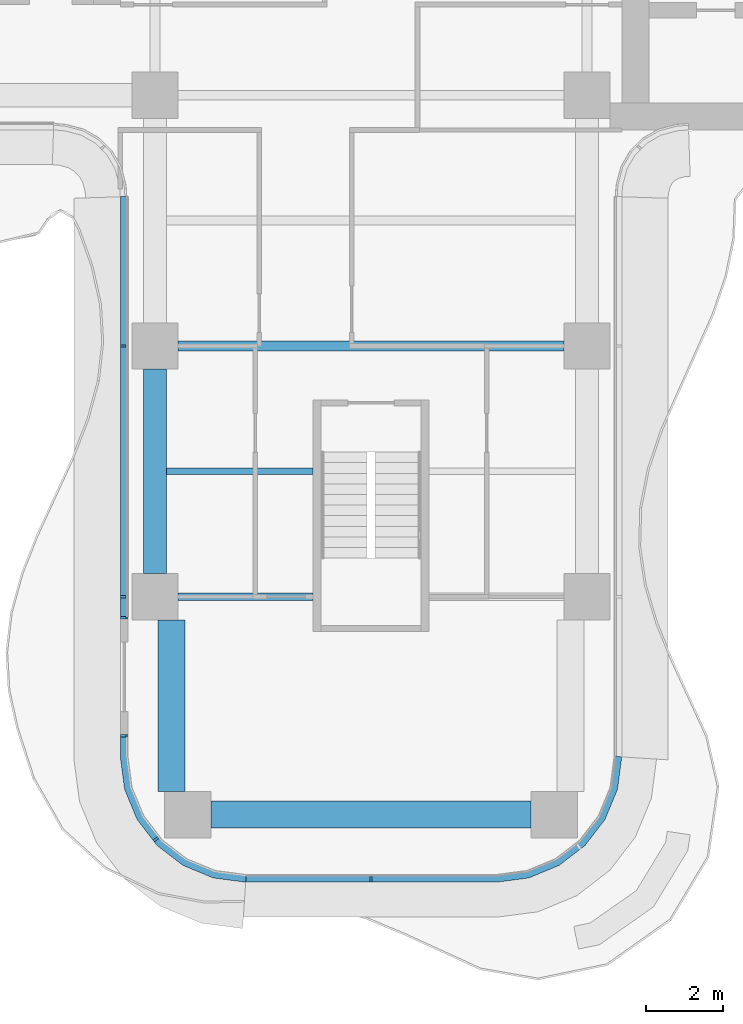
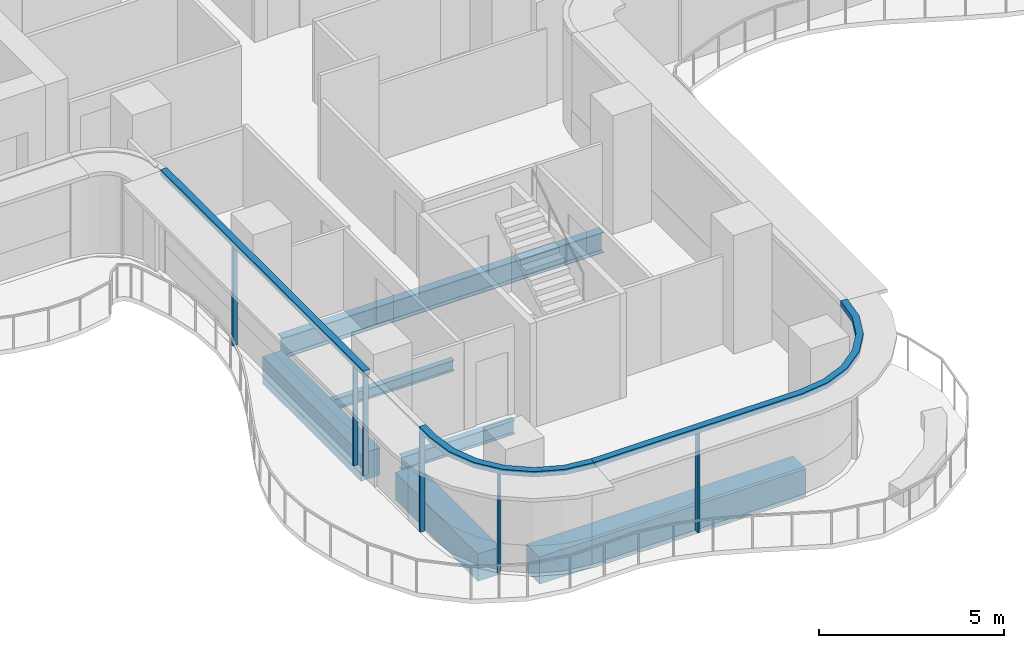
# One storey, part 2 of 17: 9 members, 6 beams, 3 elements without a shape of their own.
"""IFC4 building model written with IfcOpenShell, lengths in metres."""

from ifc_helpers import new_model, si_unit, direction, frame, origin, origin_2d, place, context, subcontext, project, spatial, polyline, rectangle, i_section, outline, extrude, source, transform, mapped, material, layer, layer_set, material_profile, profile_set, type_object, element, aggregate, save


model = new_model("IFC4")

# Units and contexts
model_context = context("Model", 3, precision=1e-05, world=origin(), true_north=direction((0.0, 1.0)))
body_context = subcontext(model_context, "Body", "Model", "MODEL_VIEW")
ifc_project = project(units=[si_unit("LENGTHUNIT", "METRE"), si_unit("AREAUNIT", "SQUARE_METRE"), si_unit("VOLUMEUNIT", "CUBIC_METRE"), si_unit("PLANEANGLEUNIT", "RADIAN"), si_unit("MASSUNIT", "GRAM", prefix="KILO")], contexts=[model_context])

# Site, building, storey
site_placement = place(None, origin())
site = spatial("IfcSite", under=ifc_project, at=site_placement, CompositionType="ELEMENT")
building_placement = place(site_placement, origin())
building = spatial("IfcBuilding", under=site, at=building_placement, Name="Trellis Farm Tower", CompositionType="ELEMENT")
storey_placement = place(building_placement, frame((0.0, 0.0, 208.800048828125)))
storey = spatial("IfcBuildingStorey", under=building, at=storey_placement, Name="L46", CompositionType="ELEMENT", Elevation=208.800048828125)

# Beams
ifc_material_1 = material(Name="Steel S355", Category="steel")
ifc_material_profile_1 = material_profile(ifc_material_1, i_section(OverallWidth=0.1904296875, OverallDepth=0.45703125, WebThickness=0.009033203125, FlangeThickness=0.014404296875, FilletRadius=0.01025390625, at=origin_2d()), Name="UB 457x191x74")
ifc_profile_set_1 = profile_set([ifc_material_profile_1], Name="Steel S355")
beam_type_1 = type_object("IfcBeamType", Name="UB 457x191x74", PredefinedType="BEAM", material=ifc_profile_set_1)
shared_shape_1 = source(origin(), body_context, "Body", "SweptSolid", [
    extrude(i_section(OverallWidth=0.1904296875, OverallDepth=0.45703125, WebThickness=0.009033203125, FlangeThickness=0.014404296875, FilletRadius=0.01025390625, at=origin_2d()), origin(), (0.0, 0.0, 1.0), 3.5),
])
beam_1_placement = place(storey_placement, frame((-5.0, -18.60009765625, -0.428466796875), z_axis=(1.0, 0.0, 0.0), x_axis=(0.0, 1.0, 0.0)))
element("IfcBeam", 1, at=beam_1_placement, inside=storey, type_object=beam_type_1, Name="Girder", PredefinedType="BEAM", context=body_context, shape_type="MappedRepresentation", body=[
    mapped(shared_shape_1, transform((0.0, 0.0, 0.0))),
])
ifc_material_2 = material(Name="Concrete C60/75", Category="concrete")
ifc_material_profile_2 = material_profile(ifc_material_2, rectangle(XDim=0.60009765625, YDim=0.89990234375, at=origin_2d()), Name="RC spandrel beam 600x900 C60/75")
ifc_profile_set_2 = profile_set([ifc_material_profile_2], Name="Concrete C60/75")
beam_type_2 = type_object("IfcBeamType", Name="RC spandrel beam 600x900 C60/75", PredefinedType="SPANDREL", material=ifc_profile_set_2)
shared_shape_2 = source(origin(), body_context, "Body", "SweptSolid", [
    extrude(rectangle(XDim=0.60009765625, YDim=0.89990234375, at=origin_2d()), origin(), (0.0, 0.0, 1.0), 5.300048828125),
])
beam_2_placement = place(storey_placement, frame((-5.60009765625, -18.0, -0.650146484375), z_axis=(0.0, 1.0, 0.0), x_axis=(-1.0, 0.0, 0.0)))
element("IfcBeam", 2, at=beam_2_placement, inside=storey, type_object=beam_type_2, Name="Girder", PredefinedType="SPANDREL", context=body_context, shape_type="MappedRepresentation", body=[
    mapped(shared_shape_2, transform((0.0, 0.0, 0.0))),
])
ifc_material_profile_3 = material_profile(ifc_material_1, i_section(OverallWidth=0.253662109375, OverallDepth=0.68359375, WebThickness=0.012451171875, FlangeThickness=0.021728515625, FilletRadius=0.01513671875, at=origin_2d()), Name="UB 686x254x140")
ifc_profile_set_3 = profile_set([ifc_material_profile_3], Name="Steel S355")
beam_type_3 = type_object("IfcBeamType", Name="UB 686x254x140", PredefinedType="BEAM", material=ifc_profile_set_3)
shared_shape_3 = source(origin(), body_context, "Body", "SweptSolid", [
    extrude(i_section(OverallWidth=0.253662109375, OverallDepth=0.68359375, WebThickness=0.012451171875, FlangeThickness=0.021728515625, FilletRadius=0.01513671875, at=origin_2d()), origin(), (0.0, 0.0, 1.0), 10.0),
])
beam_3_placement = place(storey_placement, frame((-5.0, -12.10009765625, -0.541748046875), z_axis=(1.0, 0.0, 0.0), x_axis=(0.0, 1.0, 0.0)))
element("IfcBeam", 3, at=beam_3_placement, inside=storey, type_object=beam_type_3, Name="Girder", PredefinedType="BEAM", context=body_context, shape_type="MappedRepresentation", body=[
    mapped(shared_shape_3, transform((0.0, 0.0, 0.0))),
])
ifc_material_profile_4 = material_profile(ifc_material_2, rectangle(XDim=0.699951171875, YDim=0.89990234375, at=origin_2d()), Name="RC spandrel beam 700x900 C60/75")
ifc_profile_set_4 = profile_set([ifc_material_profile_4], Name="Concrete C60/75")
beam_type_4 = type_object("IfcBeamType", Name="RC spandrel beam 700x900 C60/75", PredefinedType="SPANDREL", material=ifc_profile_set_4)
shared_shape_4 = source(origin(), body_context, "Body", "SweptSolid", [
    extrude(rectangle(XDim=0.699951171875, YDim=0.89990234375, at=origin_2d()), origin(), (0.0, 0.0, 1.0), 8.2998046875),
])
beam_4_placement = place(storey_placement, frame((-4.14990234375, -24.25, -0.650146484375), z_axis=(1.0, 0.0, 0.0), x_axis=(0.0, 1.0, 0.0)))
element("IfcBeam", 4, at=beam_4_placement, inside=storey, type_object=beam_type_4, Name="Girder", PredefinedType="SPANDREL", context=body_context, shape_type="MappedRepresentation", body=[
    mapped(shared_shape_4, transform((0.0, 0.0, 0.0))),
])
shared_shape_5 = source(origin(), body_context, "Body", "SweptSolid", [
    extrude(rectangle(XDim=0.699951171875, YDim=0.89990234375, at=origin_2d()), origin(), (0.0, 0.0, 1.0), 4.449951171875),
])
beam_5_placement = place(storey_placement, frame((-5.175048828125, -23.64990234375, -0.650146484375), z_axis=(0.0, 1.0, 0.0), x_axis=(-1.0, 0.0, 0.0)))
element("IfcBeam", 5, at=beam_5_placement, inside=storey, type_object=beam_type_4, Name="Girder", PredefinedType="SPANDREL", context=body_context, shape_type="MappedRepresentation", body=[
    mapped(shared_shape_5, transform((0.0, 0.0, 0.0))),
])
ifc_material_profile_5 = material_profile(ifc_material_1, i_section(OverallWidth=0.17138671875, OverallDepth=0.35498046875, WebThickness=0.00732421875, FlangeThickness=0.011474609375, FilletRadius=0.01025390625, at=origin_2d()), Name="UB 356x171x51")
ifc_profile_set_5 = profile_set([ifc_material_profile_5], Name="Steel S355")
beam_type_5 = type_object("IfcBeamType", Name="UB 356x171x51 joist", PredefinedType="JOIST", material=ifc_profile_set_5)
shared_shape_6 = source(origin(), body_context, "Body", "SweptSolid", [
    extrude(i_section(OverallWidth=0.17138671875, OverallDepth=0.35498046875, WebThickness=0.00732421875, FlangeThickness=0.011474609375, FilletRadius=0.01025390625, at=origin_2d()), origin(), (0.0, 0.0, 1.0), 3.800048828125),
])
beam_6_placement = place(storey_placement, frame((-5.300048828125, -15.35009765625, -0.37744140625), z_axis=(1.0, 0.0, 0.0), x_axis=(0.0, 1.0, 0.0)))
element("IfcBeam", 6, at=beam_6_placement, inside=storey, type_object=beam_type_5, Name="Floor beam", PredefinedType="JOIST", context=body_context, shape_type="MappedRepresentation", body=[
    mapped(shared_shape_6, transform((0.0, 0.0, 0.0))),
])

# Curtain wall, member
ifc_material_3 = material(Name="Aluminium and glass curtain wall", Category="aluminium")
ifc_layer_1 = layer(ifc_material_3, 0.18994140625)
ifc_layer_set_1 = layer_set([ifc_layer_1], Name="RIBBON CURTAIN WALL CW1")
curtain_wall_type = type_object("IfcCurtainWallType", Name="RIBBON CURTAIN WALL CW1", PredefinedType="NOTDEFINED", material=ifc_layer_set_1)
placement_1 = place(storey_placement, origin())
curtain_wall_1 = element("IfcCurtainWall", 7, at=placement_1, inside=storey, type_object=curtain_wall_type, Name="CW1 004", PredefinedType="NOTDEFINED")
ifc_material_4 = material(Name="Aluminium extrusion 6063-T6", Category="aluminium")
ifc_layer_2 = layer(ifc_material_4, 0.199951171875)
ifc_layer_set_2 = layer_set([ifc_layer_2], Name="Aluminium extrusion 6063-T6")
member_type_1 = type_object("IfcMemberType", Name="CW1 TRANSOM 200x180", PredefinedType="USERDEFINED", material=ifc_layer_set_2)
shared_shape_7 = source(origin(), body_context, "Body", "SweptSolid", [
    extrude(outline(polyline([(-3.25, -26.0), (3.25, -26.0), (4.091064453125, -25.88916015625), (4.875, -25.564697265625), (5.548095703125, -25.048095703125), (6.064697265625, -24.375), (6.38916015625, -23.591064453125), (6.5, -22.75), (6.300048828125, -22.73681640625), (6.1943359375, -23.5390625), (5.889892578125, -24.274169921875), (5.405517578125, -24.905517578125), (4.774169921875, -25.389892578125), (4.0390625, -25.6943359375), (3.23681640625, -25.800048828125), (-3.23681640625, -25.800048828125), (-3.25, -26.0)])), origin(), (0.0, 0.0, 1.0), 0.179931640625),
])
placement_2 = place(storey_placement, frame((0.0, 0.0, 3.27001953125)))
member_1 = element("IfcMember", 8, at=placement_2, type_object=member_type_1, Name="TR1 004", ObjectType="TRANSOM", PredefinedType="USERDEFINED", context=body_context, shape_type="MappedRepresentation", body=[
    mapped(shared_shape_7, transform((0.0, 0.0, 0.0))),
])

curtain_wall_2 = element("IfcCurtainWall", 9, at=placement_1, inside=storey, type_object=curtain_wall_type, Name="CW1 002", PredefinedType="NOTDEFINED")
shared_shape_8 = source(origin(), body_context, "Body", "SweptSolid", [
    extrude(outline(polyline([(-6.5, -8.2314453125), (-6.5, -19.175048828125), (-6.300048828125, -19.175048828125), (-6.300048828125, -8.224853515625), (-6.5, -8.2314453125)])), origin(), (0.0, 0.0, 1.0), 0.179931640625),
])
member_2 = element("IfcMember", 10, at=placement_2, type_object=member_type_1, Name="TR1 002", ObjectType="TRANSOM", PredefinedType="USERDEFINED", context=body_context, shape_type="MappedRepresentation", body=[
    mapped(shared_shape_8, transform((0.0, 0.0, 0.0))),
])

curtain_wall_3 = element("IfcCurtainWall", 11, at=placement_1, inside=storey, type_object=curtain_wall_type, Name="CW1 003", PredefinedType="NOTDEFINED")
shared_shape_9 = source(origin(), body_context, "Body", "SweptSolid", [
    extrude(outline(polyline([(-6.5, -22.175048828125), (-6.5, -22.75), (-6.38916015625, -23.591064453125), (-6.064697265625, -24.375), (-5.548095703125, -25.048095703125), (-4.875, -25.564697265625), (-4.091064453125, -25.88916015625), (-3.25, -26.0), (-3.23681640625, -25.800048828125), (-4.0390625, -25.6943359375), (-4.774169921875, -25.389892578125), (-5.405517578125, -24.905517578125), (-5.889892578125, -24.274169921875), (-6.1943359375, -23.5390625), (-6.300048828125, -22.73681640625), (-6.300048828125, -22.175048828125), (-6.5, -22.175048828125)])), origin(), (0.0, 0.0, 1.0), 0.179931640625),
])
member_3 = element("IfcMember", 12, at=placement_2, type_object=member_type_1, Name="TR1 003", ObjectType="TRANSOM", PredefinedType="USERDEFINED", context=body_context, shape_type="MappedRepresentation", body=[
    mapped(shared_shape_9, transform((0.0, 0.0, 0.0))),
])

# Member
ifc_material_profile_6 = material_profile(ifc_material_4, rectangle(XDim=0.06005859375, YDim=0.14990234375, at=origin_2d()), Name="MULLION 60x150")
ifc_profile_set_6 = profile_set([ifc_material_profile_6], Name="Aluminium extrusion 6063-T6")
member_type_2 = type_object("IfcMemberType", Name="CW1 MULLION 60x150", PredefinedType="MULLION", material=ifc_profile_set_6)
shared_shape_10 = source(origin(), body_context, "Body", "SweptSolid", [
    extrude(rectangle(XDim=0.06005859375, YDim=0.14990234375, at=origin_2d()), origin(), (0.0, 0.0, 1.0), 3.27001953125),
])
member_4_placement = place(storey_placement, frame((-6.425048828125, -12.10009765625, 0.0), z_axis=(0.0, 0.0, 1.0), x_axis=(0.0, -1.0, 0.0)))
member_4 = element("IfcMember", 13, at=member_4_placement, type_object=member_type_2, Name="MU1 002-01", PredefinedType="MULLION", context=body_context, shape_type="MappedRepresentation", body=[
    mapped(shared_shape_10, transform((0.0, 0.0, 0.0))),
])

member_5_placement = place(storey_placement, frame((-6.425048828125, -18.60009765625, 0.0), z_axis=(0.0, 0.0, 1.0), x_axis=(0.0, -1.0, 0.0)))
member_5 = element("IfcMember", 14, at=member_5_placement, type_object=member_type_2, Name="MU1 002-02", PredefinedType="MULLION", context=body_context, shape_type="MappedRepresentation", body=[
    mapped(shared_shape_10, transform((0.0, 0.0, 0.0))),
])

member_6_placement = place(storey_placement, frame((-6.425048828125, -19.14501953125, 0.0), z_axis=(0.0, 0.0, 1.0), x_axis=(0.0, -1.0, 0.0)))
member_6 = element("IfcMember", 15, at=member_6_placement, type_object=member_type_2, Name="MU1 002-03", PredefinedType="MULLION", context=body_context, shape_type="MappedRepresentation", body=[
    mapped(shared_shape_10, transform((0.0, 0.0, 0.0))),
])

aggregate(curtain_wall_2, [member_4, member_5, member_6, member_2])

member_7_placement = place(storey_placement, frame((-6.425048828125, -22.205078125, 0.0), z_axis=(0.0, 0.0, 1.0), x_axis=(0.0, -1.0, 0.0)))
member_7 = element("IfcMember", 16, at=member_7_placement, type_object=member_type_2, Name="MU1 003-01", PredefinedType="MULLION", context=body_context, shape_type="MappedRepresentation", body=[
    mapped(shared_shape_10, transform((0.0, 0.0, 0.0))),
])

member_8_placement = place(storey_placement, frame((-5.578369140625, -24.885498046875, 0.0), z_axis=(0.0, 0.0, 1.0), x_axis=(0.608761429009, -0.793353340291, 0.0)))
member_8 = element("IfcMember", 17, at=member_8_placement, type_object=member_type_2, Name="MU1 003-02", PredefinedType="MULLION", context=body_context, shape_type="MappedRepresentation", body=[
    mapped(shared_shape_10, transform((0.0, 0.0, 0.0))),
])

aggregate(curtain_wall_3, [member_7, member_8, member_3])

member_9_placement = place(storey_placement, frame((0.0, -25.925048828125, 0.0), z_axis=(0.0, 0.0, 1.0), x_axis=(1.0, 0.0, 0.0)))
member_9 = element("IfcMember", 18, at=member_9_placement, type_object=member_type_2, Name="MU1 004-01", PredefinedType="MULLION", context=body_context, shape_type="MappedRepresentation", body=[
    mapped(shared_shape_10, transform((0.0, 0.0, 0.0))),
])

aggregate(curtain_wall_1, [member_9, member_1])

save(model, "model.ifc")
